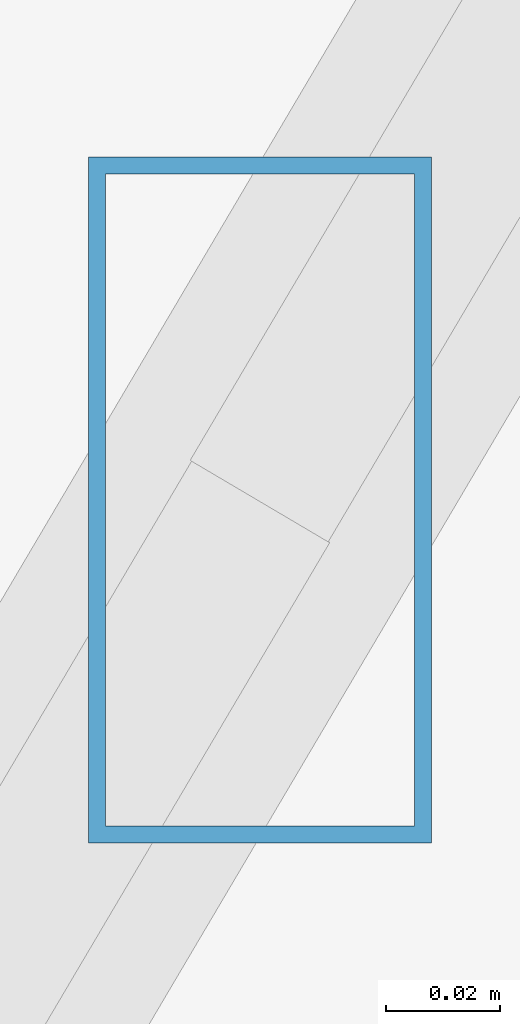
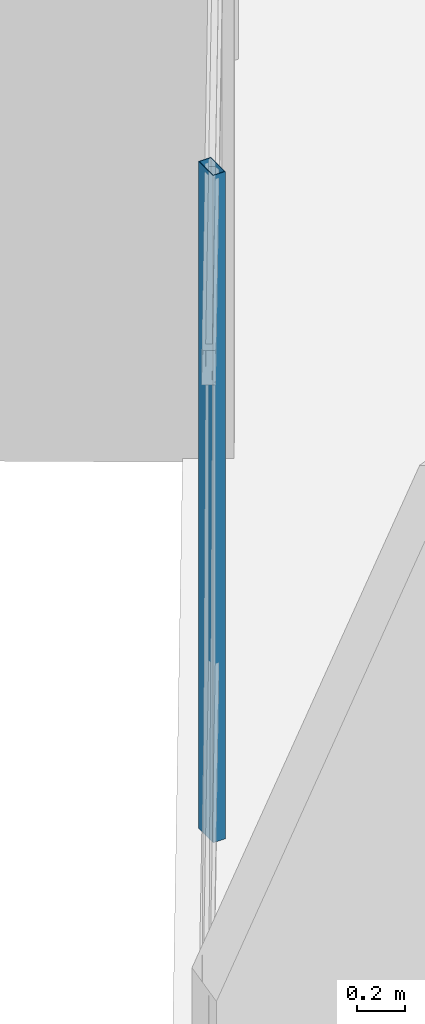
# One storey, part 7 of 46: 1 member, 1 element without a shape of its own.
"""IFC4 building model written with IfcOpenShell, lengths in metres."""

from ifc_helpers import new_model, si_unit, direction, frame, origin, origin_2d, place, context, subcontext, project, spatial, hollow_rectangle, extrude, source, transform, mapped, material, material_profile, profile_set, type_object, type_shapes, element, aggregate, save


model = new_model("IFC4")

# Units and contexts
model_context = context("Model", 3, precision=1e-05, world=origin(), true_north=direction((0.0, 1.0)))
body_context = subcontext(model_context, "Body", "Model", "MODEL_VIEW")
ifc_project = project(units=[si_unit("LENGTHUNIT", "METRE"), si_unit("AREAUNIT", "SQUARE_METRE"), si_unit("VOLUMEUNIT", "CUBIC_METRE"), si_unit("PLANEANGLEUNIT", "RADIAN"), si_unit("MASSUNIT", "GRAM", prefix="KILO")], contexts=[model_context])

# Site, building, storey
site_placement = place(None, origin())
site = spatial("IfcSite", under=ifc_project, at=site_placement, CompositionType="ELEMENT")
building_placement = place(site_placement, origin())
building = spatial("IfcBuilding", under=site, at=building_placement, Name="Caelisora Broadcast Tower", CompositionType="ELEMENT")
storey_placement = place(building_placement, frame((0.0, 0.0, 251.75)))
storey = spatial("IfcBuildingStorey", under=building, at=storey_placement, Name="L66", CompositionType="ELEMENT", Elevation=251.75)

# Curtain wall, member
ifc_material_1 = material(Name="Unitised Aluminium and Low-E Glass Curtain Wall", Category="glass")
curtain_wall_type = type_object("IfcCurtainWallType", Name="CW-Z5", PredefinedType="NOTDEFINED", material=ifc_material_1)
curtain_wall_placement = place(storey_placement, origin())
curtain_wall = element("IfcCurtainWall", 1, at=curtain_wall_placement, inside=storey, type_object=curtain_wall_type, Name="L66 curtain wall CW-Z5", PredefinedType="NOTDEFINED")
ifc_material_2 = material(Name="Aluminium 6063-T6 Anodised Terracotta Bronze", Category="aluminium")
ifc_material_profile = material_profile(ifc_material_2, hollow_rectangle(XDim=0.06005859375, YDim=0.1201171875, WallThickness=0.0029296875, at=origin_2d()), Name="Aluminium 6063-T6 Anodised Terracotta Bronze")
ifc_profile_set = profile_set([ifc_material_profile], Name="Aluminium 6063-T6 Anodised Terracotta Bronze")
member_type = type_object("IfcMemberType", Name="CWM-04", PredefinedType="MULLION", material=ifc_profile_set)
shared_shape = source(origin(), body_context, "Body", "SweptSolid", [
    extrude(hollow_rectangle(XDim=0.06005859375, YDim=0.1201171875, WallThickness=0.0029296875, at=origin_2d()), origin(), (0.0, 0.0, 1.0), 3.39990234375),
])
type_shapes(member_type, [shared_shape])
member_placement = place(storey_placement, frame((14.89990234375, 16.67041015625, 0.0), z_axis=(0.0, 0.0, 1.0), x_axis=(1.0, 0.0, 0.0)))
member = element("IfcMember", 2, at=member_placement, type_object=member_type, Name="L66-CW-B09 mullion #1", PredefinedType="MULLION", context=body_context, shape_type="MappedRepresentation", body=[
    mapped(shared_shape, transform((0.0, 0.0, 0.0), scale=1.0)),
])
aggregate(curtain_wall, [member])

save(model, "model.ifc")
